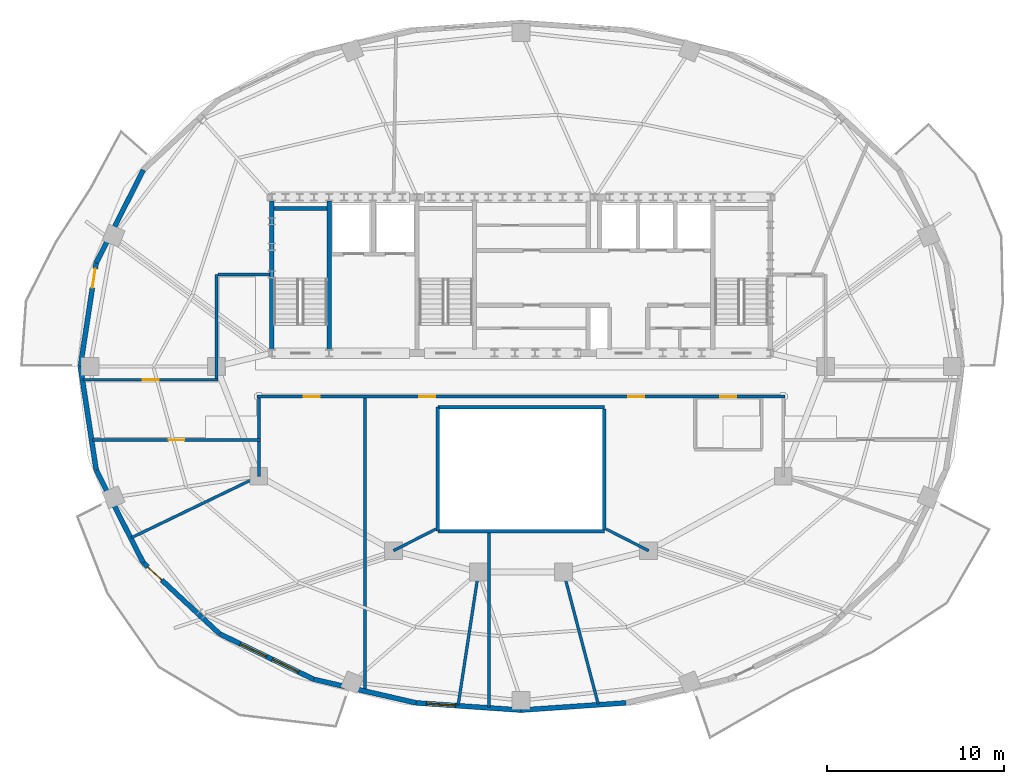
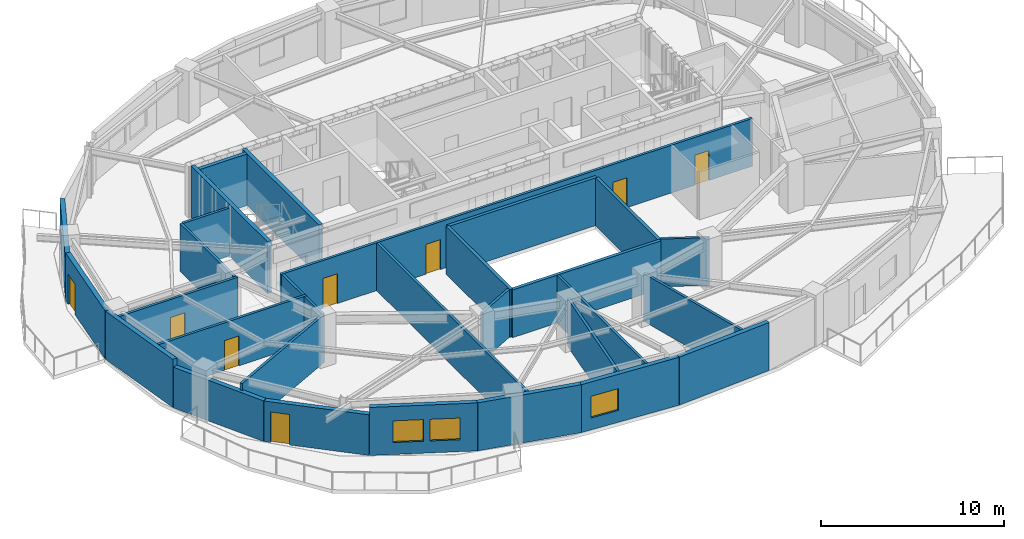
# One storey, part 3 of 10: 30 walls, 8 doors, 3 windows, 11 openings.
"""IFC4 building model written with IfcOpenShell, lengths in metres."""

from ifc_helpers import new_model, si_unit, direction, frame, frame_2d, origin, place, context, subcontext, project, spatial, rectangle, extrude, material, layer, layer_set, type_object, element, fill, save


model = new_model("IFC4")

# Units and contexts
model_context = context("Model", 3, precision=1e-05, world=origin(), true_north=direction((0.0, 1.0)))
body_context = subcontext(model_context, "Body", "Model", "MODEL_VIEW")
ifc_project = project(units=[si_unit("LENGTHUNIT", "METRE"), si_unit("AREAUNIT", "SQUARE_METRE"), si_unit("VOLUMEUNIT", "CUBIC_METRE"), si_unit("PLANEANGLEUNIT", "RADIAN"), si_unit("MASSUNIT", "GRAM", prefix="KILO")], contexts=[model_context])

# Site, building, storey
site_placement = place(None, origin())
site = spatial("IfcSite", under=ifc_project, at=site_placement, CompositionType="ELEMENT")
building_placement = place(site_placement, origin())
building = spatial("IfcBuilding", under=site, at=building_placement, Name="Haldorwick Loom Tower", CompositionType="ELEMENT")
storey_placement = place(building_placement, frame((0.0, 0.0, 255.75)))
storey = spatial("IfcBuildingStorey", under=building, at=storey_placement, Name="L69", CompositionType="ELEMENT", Elevation=255.75)

# Wall
ifc_material_1 = material(Name="Pressed Clay Face Brick and Insulated Masonry Backup Assembly", Category="masonry")
ifc_layer_1 = layer(ifc_material_1, 0.280029296875, Name="Pressed Clay Face Brick and Insulated Masonry Backup Assembly", Category="masonry")
ifc_layer_set_1 = layer_set([ifc_layer_1], Name="Pressed Clay Face Brick and Insulated Masonry Backup Assembly")
wall_type_1 = type_object("IfcWallType", Name="ARC-WL-EXT280", PredefinedType="STANDARD", material=ifc_layer_set_1)
wall_1_placement = place(storey_placement, frame((14.677490234375, 37.08984375, 0.0), z_axis=(0.0, 0.0, 1.0), x_axis=(-0.453100705059, -0.89145933787, 0.0)))
element("IfcWall", 1, at=wall_1_placement, inside=storey, type_object=wall_type_1, Name="L69 Brick Pier and Spandrel Wall 11", PredefinedType="STANDARD", context=body_context, shape_type="SweptSolid", body=[
    extrude(rectangle(XDim=5.879150390625, YDim=0.280029296875, at=frame_2d((2.939453125, 0.0))), origin(), (0.0, 0.0, 1.0), 2.718994140625),
])

# Wall, opening, door
wall_2_placement = place(storey_placement, frame((12.013671875, 31.848876953125, 0.0), z_axis=(0.0, 0.0, 1.0), x_axis=(-0.150497234153, -0.988610430105, 0.0)))
wall_2 = element("IfcWall", 2, at=wall_2_placement, inside=storey, type_object=wall_type_1, Name="L69 Brick Pier and Spandrel Wall 12", PredefinedType="STANDARD", context=body_context, shape_type="SweptSolid", body=[
    extrude(rectangle(XDim=5.916259765625, YDim=0.280029296875, at=frame_2d((2.9580078125, 0.0))), origin(), (0.0, 0.0, 1.0), 3.2099609375),
])
opening_1_placement = place(wall_2_placement, frame((0.340087890625, 0.0, 0.0)))
opening_1 = element("IfcOpeningElement", 3, at=opening_1_placement, cuts=wall_2, Name="Opening D-BL11", PredefinedType="OPENING", context=body_context, shape_type="SweptSolid", body=[
    extrude(rectangle(XDim=1.080078125, YDim=2.0400390625, at=frame_2d((0.5400390625, 1.02001953125))), frame((0.0, 0.14990234375, 0.0), z_axis=(0.0, -1.0, 0.0), x_axis=(1.0, 0.0, 0.0)), (0.0, 0.0, 1.0), 0.300048828125),
])
ifc_material_2 = material(Name="Thermally Broken Anodized Aluminium Curtain Wall Framing", Category="aluminium")
door_type_1 = type_object("IfcDoorType", Name="ARC-DR-BAL110", OperationType="NOTDEFINED", PredefinedType="DOOR", material=ifc_material_2)
door_1_placement = place(opening_1_placement, origin())
door_1 = element("IfcDoor", 4, at=door_1_placement, inside=storey, type_object=door_type_1, Name="L69 Outdoor Terrace Door SLB-L69-BAL_WNW", OperationType="SINGLE_SWING_RIGHT", OverallHeight=2.0400390625, OverallWidth=1.080078125, PredefinedType="DOOR", context=body_context, shape_type="SweptSolid", body=[
    extrude(rectangle(XDim=1.080078125, YDim=2.0400390625, at=frame_2d((0.5400390625, 1.02001953125))), frame((0.0, 0.02490234375, 0.0), z_axis=(0.0, -1.0, 0.0), x_axis=(1.0, 0.0, 0.0)), (0.0, 0.0, 1.0), 0.050048828125),
])
fill(opening_1, door_1)

# Walls
wall_3_placement = place(storey_placement, frame((11.123291015625, 26.0, 0.0), z_axis=(0.0, 0.0, 1.0), x_axis=(0.150497234153, -0.988610430105, 0.0)))
element("IfcWall", 5, at=wall_3_placement, inside=storey, type_object=wall_type_1, Name="L69 Brick Pier and Spandrel Wall 13", PredefinedType="STANDARD", context=body_context, shape_type="SweptSolid", body=[
    extrude(rectangle(XDim=5.916259765625, YDim=0.280029296875, at=frame_2d((2.9580078125, 0.0))), origin(), (0.0, 0.0, 1.0), 3.2099609375),
])
wall_4_placement = place(storey_placement, frame((12.013671875, 20.151123046875, 0.0), z_axis=(0.0, 0.0, 1.0), x_axis=(0.453100705059, -0.89145933787, 0.0)))
element("IfcWall", 6, at=wall_4_placement, inside=storey, type_object=wall_type_1, Name="L69 Brick Pier and Spandrel Wall 14", PredefinedType="STANDARD", context=body_context, shape_type="SweptSolid", body=[
    extrude(rectangle(XDim=5.879150390625, YDim=0.280029296875, at=frame_2d((2.939453125, 0.0))), origin(), (0.0, 0.0, 1.0), 2.718994140625),
])

# Wall, opening, door
wall_5_placement = place(storey_placement, frame((14.677490234375, 14.91015625, 0.0), z_axis=(0.0, 0.0, 1.0), x_axis=(0.731924682982, -0.68138554317, 0.0)))
wall_5 = element("IfcWall", 7, at=wall_5_placement, inside=storey, type_object=wall_type_1, Name="L69 Brick Pier and Spandrel Wall 15", PredefinedType="STANDARD", context=body_context, shape_type="SweptSolid", body=[
    extrude(rectangle(XDim=5.87890625, YDim=0.280029296875, at=frame_2d((2.939453125, 0.0))), origin(), (0.0, 0.0, 1.0), 2.718994140625),
])
opening_2_placement = place(wall_5_placement, frame((0.340087890625, 0.0, 0.0)))
opening_2 = element("IfcOpeningElement", 8, at=opening_2_placement, cuts=wall_5, Name="Opening D-BL11", PredefinedType="OPENING", context=body_context, shape_type="SweptSolid", body=[
    extrude(rectangle(XDim=1.080078125, YDim=2.0400390625, at=frame_2d((0.5400390625, 1.02001953125))), frame((0.0, 0.14990234375, 0.0), z_axis=(0.0, -1.0, 0.0), x_axis=(1.0, 0.0, 0.0)), (0.0, 0.0, 1.0), 0.300048828125),
])
door_2_placement = place(opening_2_placement, origin())
door_2 = element("IfcDoor", 9, at=door_2_placement, inside=storey, type_object=door_type_1, Name="L69 Outdoor Terrace Door SLB-L69-BAL_SW", OperationType="SINGLE_SWING_LEFT", OverallHeight=2.0400390625, OverallWidth=1.080078125, PredefinedType="DOOR", context=body_context, shape_type="SweptSolid", body=[
    extrude(rectangle(XDim=1.080078125, YDim=2.0400390625, at=frame_2d((0.5400390625, 1.02001953125))), frame((0.0, 0.02490234375, 0.0), z_axis=(0.0, -1.0, 0.0), x_axis=(1.0, 0.0, 0.0)), (0.0, 0.0, 1.0), 0.050048828125),
])
fill(opening_2, door_2)

# Wall, openings, windows
wall_6_placement = place(storey_placement, frame((18.98046875, 10.904296875, 0.0), z_axis=(0.0, 0.0, 1.0), x_axis=(0.900481907967, -0.434893473651, 0.0)))
wall_6 = element("IfcWall", 10, at=wall_6_placement, inside=storey, type_object=wall_type_1, Name="L69 Brick Pier and Spandrel Wall 16", PredefinedType="STANDARD", context=body_context, shape_type="SweptSolid", body=[
    extrude(rectangle(XDim=5.90966796875, YDim=0.280029296875, at=frame_2d((2.954833984375, 0.0))), origin(), (0.0, 0.0, 1.0), 3.2099609375),
])
opening_3_placement = place(wall_6_placement, frame((1.29443359375, 0.0, 0.800048828125)))
opening_3 = element("IfcOpeningElement", 11, at=opening_3_placement, cuts=wall_6, Name="Opening W-01B", PredefinedType="OPENING", context=body_context, shape_type="SweptSolid", body=[
    extrude(rectangle(XDim=1.64990234375, YDim=1.449951171875, at=frame_2d((0.824951171875, 0.72509765625))), frame((0.0, 0.14990234375, 0.0), z_axis=(0.0, -1.0, 0.0), x_axis=(1.0, 0.0, 0.0)), (0.0, 0.0, 1.0), 0.300048828125),
])
opening_4_placement = place(wall_6_placement, frame((3.311767578125, 0.0, 0.800048828125)))
opening_4 = element("IfcOpeningElement", 12, at=opening_4_placement, cuts=wall_6, Name="Opening W-01B", PredefinedType="OPENING", context=body_context, shape_type="SweptSolid", body=[
    extrude(rectangle(XDim=1.64990234375, YDim=1.449951171875, at=frame_2d((0.824951171875, 0.72509765625))), frame((0.0, 0.14990234375, 0.0), z_axis=(0.0, -1.0, 0.0), x_axis=(1.0, 0.0, 0.0)), (0.0, 0.0, 1.0), 0.300048828125),
])
ifc_material_3 = material(Name="Triple-Glazed Low-E Argon Insulated Glazing Unit", Category="glass")
window_type = type_object("IfcWindowType", Name="ARC-WIN-W165", PartitioningType="SINGLE_PANEL", PredefinedType="WINDOW", material=ifc_material_3)
window_1_placement = place(opening_3_placement, origin())
window_1 = element("IfcWindow", 13, at=window_1_placement, inside=storey, type_object=window_type, Name="L69 Deep-Set Zone 7A Window 16", OverallHeight=1.449951171875, OverallWidth=1.64990234375, PartitioningType="SINGLE_PANEL", PredefinedType="WINDOW", context=body_context, shape_type="SweptSolid", body=[
    extrude(rectangle(XDim=1.64990234375, YDim=1.449951171875, at=frame_2d((0.824951171875, 0.72509765625))), frame((0.0, 0.030029296875, 0.0), z_axis=(0.0, -1.0, 0.0), x_axis=(1.0, 0.0, 0.0)), (0.0, 0.0, 1.0), 0.06005859375),
])
fill(opening_3, window_1)
window_2_placement = place(opening_4_placement, origin())
window_2 = element("IfcWindow", 14, at=window_2_placement, inside=storey, type_object=window_type, Name="L69 Deep-Set Zone 7A Window 16", OverallHeight=1.449951171875, OverallWidth=1.64990234375, PartitioningType="SINGLE_PANEL", PredefinedType="WINDOW", context=body_context, shape_type="SweptSolid", body=[
    extrude(rectangle(XDim=1.64990234375, YDim=1.449951171875, at=frame_2d((0.824951171875, 0.72509765625))), frame((0.0, 0.030029296875, 0.0), z_axis=(0.0, -1.0, 0.0), x_axis=(1.0, 0.0, 0.0)), (0.0, 0.0, 1.0), 0.06005859375),
])
fill(opening_4, window_2)

# Wall
wall_7_placement = place(storey_placement, frame((24.302001953125, 8.334228515625, 0.0), z_axis=(0.0, 0.0, 1.0), x_axis=(0.974589984037, -0.223996345987, 0.0)))
element("IfcWall", 15, at=wall_7_placement, inside=storey, type_object=wall_type_1, Name="L69 Brick Pier and Spandrel Wall 17", PredefinedType="STANDARD", context=body_context, shape_type="SweptSolid", body=[
    extrude(rectangle(XDim=5.92919921875, YDim=0.280029296875, at=frame_2d((2.964599609375, 0.0))), origin(), (0.0, 0.0, 1.0), 3.2099609375),
])

# Wall, opening, window
wall_8_placement = place(storey_placement, frame((30.08056640625, 7.006103515625, 0.0), z_axis=(0.0, 0.0, 1.0), x_axis=(0.997656066566, -0.068427865986, 0.0)))
wall_8 = element("IfcWall", 16, at=wall_8_placement, inside=storey, type_object=wall_type_1, Name="L69 Brick Pier and Spandrel Wall 18", PredefinedType="STANDARD", context=body_context, shape_type="SweptSolid", body=[
    extrude(rectangle(XDim=5.933349609375, YDim=0.280029296875, at=frame_2d((2.966796875, 0.0))), origin(), (0.0, 0.0, 1.0), 3.2099609375),
])
opening_5_placement = place(wall_8_placement, frame((0.580078125, 0.0, 0.800048828125)))
opening_5 = element("IfcOpeningElement", 17, at=opening_5_placement, cuts=wall_8, Name="Opening W-01B", PredefinedType="OPENING", context=body_context, shape_type="SweptSolid", body=[
    extrude(rectangle(XDim=1.64990234375, YDim=1.449951171875, at=frame_2d((0.824951171875, 0.72509765625))), frame((0.0, 0.14990234375, 0.0), z_axis=(0.0, -1.0, 0.0), x_axis=(1.0, 0.0, 0.0)), (0.0, 0.0, 1.0), 0.300048828125),
])
window_3_placement = place(opening_5_placement, origin())
window_3 = element("IfcWindow", 18, at=window_3_placement, inside=storey, type_object=window_type, Name="L69 Deep-Set Zone 7A Window 18", OverallHeight=1.449951171875, OverallWidth=1.64990234375, PartitioningType="SINGLE_PANEL", PredefinedType="WINDOW", context=body_context, shape_type="SweptSolid", body=[
    extrude(rectangle(XDim=1.64990234375, YDim=1.449951171875, at=frame_2d((0.824951171875, 0.72509765625))), frame((0.0, 0.030029296875, 0.0), z_axis=(0.0, -1.0, 0.0), x_axis=(1.0, 0.0, 0.0)), (0.0, 0.0, 1.0), 0.06005859375),
])
fill(opening_5, window_3)

# Wall
wall_9_placement = place(storey_placement, frame((36.0, 6.60009765625, 0.0), z_axis=(0.0, 0.0, 1.0), x_axis=(0.997656066566, 0.068427865986, 0.0)))
element("IfcWall", 19, at=wall_9_placement, inside=storey, type_object=wall_type_1, Name="L69 Brick Pier and Spandrel Wall 19", PredefinedType="STANDARD", context=body_context, shape_type="SweptSolid", body=[
    extrude(rectangle(XDim=5.933349609375, YDim=0.280029296875, at=frame_2d((2.966796875, 0.0))), origin(), (0.0, 0.0, 1.0), 3.2099609375),
])

# Wall, openings, doors
ifc_material_4 = material(Name="Fire-Rated Type X Gypsum Stud Assembly EI 60")
ifc_layer_2 = layer(ifc_material_4, 0.159912109375, Name="Fire-Rated Type X Gypsum Stud Assembly EI 60")
ifc_layer_set_2 = layer_set([ifc_layer_2], Name="Fire-Rated Type X Gypsum Stud Assembly EI 60")
wall_type_2 = type_object("IfcWallType", Name="ARC-WL-FIRE160", PredefinedType="PARTITIONING", material=ifc_layer_set_2)
wall_10_placement = place(storey_placement, frame((21.10009765625, 24.300048828125, 0.0), z_axis=(0.0, 0.0, 1.0), x_axis=(1.0, 0.0, 0.0)))
wall_10 = element("IfcWall", 20, at=wall_10_placement, inside=storey, type_object=wall_type_2, Name="L69 Residential Fire Partition L69-CR-SP", PredefinedType="PARTITIONING", context=body_context, shape_type="SweptSolid", body=[
    extrude(rectangle(XDim=29.7998046875, YDim=0.159912109375, at=frame_2d((14.89990234375, 0.0))), origin(), (0.0, 0.0, 1.0), 3.195068359375),
])
opening_6_placement = place(wall_10_placement, frame((20.9619140625, 0.0, 0.0)))
opening_6 = element("IfcOpeningElement", 21, at=opening_6_placement, cuts=wall_10, Name="Opening D-FD60A", PredefinedType="OPENING", context=body_context, shape_type="SweptSolid", body=[
    extrude(rectangle(XDim=0.89990234375, YDim=2.0, at=frame_2d((0.449951171875, 1.0))), frame((0.0, 0.08984375, 0.0), z_axis=(0.0, -1.0, 0.0), x_axis=(1.0, 0.0, 0.0)), (0.0, 0.0, 1.0), 0.179931640625),
])
opening_7_placement = place(wall_10_placement, frame((9.152099609375, 0.0, 0.0)))
opening_7 = element("IfcOpeningElement", 22, at=opening_7_placement, cuts=wall_10, Name="Opening D-FD60A", PredefinedType="OPENING", context=body_context, shape_type="SweptSolid", body=[
    extrude(rectangle(XDim=0.89990234375, YDim=2.0, at=frame_2d((0.449951171875, 1.0))), frame((0.0, 0.08984375, 0.0), z_axis=(0.0, -1.0, 0.0), x_axis=(1.0, 0.0, 0.0)), (0.0, 0.0, 1.0), 0.179931640625),
])
opening_8_placement = place(wall_10_placement, frame((2.640380859375, 0.0, 0.0)))
opening_8 = element("IfcOpeningElement", 23, at=opening_8_placement, cuts=wall_10, Name="Opening D-FD60A", PredefinedType="OPENING", context=body_context, shape_type="SweptSolid", body=[
    extrude(rectangle(XDim=0.89990234375, YDim=2.0, at=frame_2d((0.449951171875, 1.0))), frame((0.0, 0.08984375, 0.0), z_axis=(0.0, -1.0, 0.0), x_axis=(1.0, 0.0, 0.0)), (0.0, 0.0, 1.0), 0.179931640625),
])
opening_9_placement = place(wall_10_placement, frame((26.1494140625, 0.0, 0.0)))
opening_9 = element("IfcOpeningElement", 24, at=opening_9_placement, cuts=wall_10, Name="Opening D-FD60A", PredefinedType="OPENING", context=body_context, shape_type="SweptSolid", body=[
    extrude(rectangle(XDim=0.89990234375, YDim=2.0, at=frame_2d((0.449951171875, 1.0))), frame((0.0, 0.08984375, 0.0), z_axis=(0.0, -1.0, 0.0), x_axis=(1.0, 0.0, 0.0)), (0.0, 0.0, 1.0), 0.179931640625),
])
ifc_material_5 = material(Name="Hollow Steel Fire Door Assembly", Category="steel")
door_type_2 = type_object("IfcDoorType", Name="ARC-DR-FD60-90", OperationType="NOTDEFINED", PredefinedType="DOOR", material=ifc_material_5)
door_3_placement = place(opening_6_placement, origin())
door_3 = element("IfcDoor", 25, at=door_3_placement, inside=storey, type_object=door_type_2, Name="L69 L69 Central Residential Corridor to Tenant Seminar Meeting Room 1 Do", OperationType="SINGLE_SWING_LEFT", OverallHeight=2.0, OverallWidth=0.89990234375, PredefinedType="DOOR", context=body_context, shape_type="SweptSolid", body=[
    extrude(rectangle(XDim=0.89990234375, YDim=2.0, at=frame_2d((0.449951171875, 1.0))), frame((0.0, 0.02490234375, 0.0), z_axis=(0.0, -1.0, 0.0), x_axis=(1.0, 0.0, 0.0)), (0.0, 0.0, 1.0), 0.050048828125),
])
fill(opening_6, door_3)
door_4_placement = place(opening_7_placement, origin())
door_4 = element("IfcDoor", 26, at=door_4_placement, inside=storey, type_object=door_type_2, Name="L69 L69 Central Residential Corridor to Tenant Seminar Meeting Room 1 Do", OperationType="SINGLE_SWING_RIGHT", OverallHeight=2.0, OverallWidth=0.89990234375, PredefinedType="DOOR", context=body_context, shape_type="SweptSolid", body=[
    extrude(rectangle(XDim=0.89990234375, YDim=2.0, at=frame_2d((0.449951171875, 1.0))), frame((0.0, 0.02490234375, 0.0), z_axis=(0.0, -1.0, 0.0), x_axis=(1.0, 0.0, 0.0)), (0.0, 0.0, 1.0), 0.050048828125),
])
fill(opening_7, door_4)
door_5_placement = place(opening_8_placement, origin())
door_5 = element("IfcDoor", 27, at=door_5_placement, inside=storey, type_object=door_type_2, Name="L69 L69 Central Residential Corridor to Tenant Seminar Meeting Room 2 Do", OperationType="SINGLE_SWING_LEFT", OverallHeight=2.0, OverallWidth=0.89990234375, PredefinedType="DOOR", context=body_context, shape_type="SweptSolid", body=[
    extrude(rectangle(XDim=0.89990234375, YDim=2.0, at=frame_2d((0.449951171875, 1.0))), frame((0.0, 0.02490234375, 0.0), z_axis=(0.0, -1.0, 0.0), x_axis=(1.0, 0.0, 0.0)), (0.0, 0.0, 1.0), 0.050048828125),
])
fill(opening_8, door_5)
door_6_placement = place(opening_9_placement, origin())
door_6 = element("IfcDoor", 28, at=door_6_placement, inside=storey, type_object=door_type_2, Name="L69 L69 Central Residential Corridor to Common Accessible WC Door", OperationType="SINGLE_SWING_RIGHT", OverallHeight=2.0, OverallWidth=0.89990234375, PredefinedType="DOOR", context=body_context, shape_type="SweptSolid", body=[
    extrude(rectangle(XDim=0.89990234375, YDim=2.0, at=frame_2d((0.449951171875, 1.0))), frame((0.0, 0.02490234375, 0.0), z_axis=(0.0, -1.0, 0.0), x_axis=(1.0, 0.0, 0.0)), (0.0, 0.0, 1.0), 0.050048828125),
])
fill(opening_9, door_6)

# Wall, opening, door
wall_11_placement = place(storey_placement, frame((11.800537109375, 21.85009765625, 0.0), z_axis=(0.0, 0.0, 1.0), x_axis=(1.0, 0.0, 0.0)))
wall_11 = element("IfcWall", 29, at=wall_11_placement, inside=storey, type_object=wall_type_2, Name="L69 Residential Fire Partition L69-CR-SPW", PredefinedType="PARTITIONING", context=body_context, shape_type="SweptSolid", body=[
    extrude(rectangle(XDim=9.49951171875, YDim=0.159912109375, at=frame_2d((4.749755859375, 0.0))), origin(), (0.0, 0.0, 1.0), 3.195068359375),
])
opening_10_placement = place(wall_11_placement, frame((4.2998046875, 0.0, 0.0)))
opening_10 = element("IfcOpeningElement", 30, at=opening_10_placement, cuts=wall_11, Name="Opening D-FD60A", PredefinedType="OPENING", context=body_context, shape_type="SweptSolid", body=[
    extrude(rectangle(XDim=0.89990234375, YDim=2.0, at=frame_2d((0.449951171875, 1.0))), frame((0.0, 0.08984375, 0.0), z_axis=(0.0, -1.0, 0.0), x_axis=(1.0, 0.0, 0.0)), (0.0, 0.0, 1.0), 0.179931640625),
])
door_7_placement = place(opening_10_placement, origin())
door_7 = element("IfcDoor", 31, at=door_7_placement, inside=storey, type_object=door_type_2, Name="L69 L69 Central Residential Corridor to Community Library Room 1 Door", OperationType="SINGLE_SWING_RIGHT", OverallHeight=2.0, OverallWidth=0.89990234375, PredefinedType="DOOR", context=body_context, shape_type="SweptSolid", body=[
    extrude(rectangle(XDim=0.89990234375, YDim=2.0, at=frame_2d((0.449951171875, 1.0))), frame((0.0, 0.02490234375, 0.0), z_axis=(0.0, -1.0, 0.0), x_axis=(1.0, 0.0, 0.0)), (0.0, 0.0, 1.0), 0.050048828125),
])
fill(opening_10, door_7)

# Wall
wall_12_placement = place(storey_placement, frame((21.199951171875, 21.93310546875, 0.0), z_axis=(0.0, 0.0, 1.0), x_axis=(0.0, 1.0, 0.0)))
element("IfcWall", 32, at=wall_12_placement, inside=storey, type_object=wall_type_2, Name="L69 Residential Fire Partition L69-CR-STW", PredefinedType="PARTITIONING", context=body_context, shape_type="SweptSolid", body=[
    extrude(rectangle(XDim=2.283935546875, YDim=0.159912109375, at=frame_2d((1.14208984375, 0.0))), origin(), (0.0, 0.0, 1.0), 3.195068359375),
])

# Wall, opening, door
wall_13_placement = place(storey_placement, frame((11.282958984375, 25.25, 0.0), z_axis=(0.0, 0.0, 1.0), x_axis=(1.0, 0.0, 0.0)))
wall_13 = element("IfcWall", 33, at=wall_13_placement, inside=storey, type_object=wall_type_2, Name="L69 Residential Fire Partition L69-CR-NWL", PredefinedType="PARTITIONING", context=body_context, shape_type="SweptSolid", body=[
    extrude(rectangle(XDim=7.616943359375, YDim=0.159912109375, at=frame_2d((3.80859375, 0.0))), origin(), (0.0, 0.0, 1.0), 3.195068359375),
])
opening_11_placement = place(wall_13_placement, frame((3.3583984375, 0.0, 0.0)))
opening_11 = element("IfcOpeningElement", 34, at=opening_11_placement, cuts=wall_13, Name="Opening D-FD60A", PredefinedType="OPENING", context=body_context, shape_type="SweptSolid", body=[
    extrude(rectangle(XDim=0.89990234375, YDim=2.0, at=frame_2d((0.449951171875, 1.0))), frame((0.0, 0.08984375, 0.0), z_axis=(0.0, -1.0, 0.0), x_axis=(1.0, 0.0, 0.0)), (0.0, 0.0, 1.0), 0.179931640625),
])
door_8_placement = place(opening_11_placement, frame((0.89990234375, 0.0, 0.0), z_axis=(0.0, 0.0, 1.0), x_axis=(-1.0, 0.0, 0.0)))
door_8 = element("IfcDoor", 35, at=door_8_placement, inside=storey, type_object=door_type_2, Name="L69 Tenant Seminar Meeting Room 6 to L69 Central Residential Corridor Do", OperationType="SINGLE_SWING_LEFT", OverallHeight=2.0, OverallWidth=0.89990234375, PredefinedType="DOOR", context=body_context, shape_type="SweptSolid", body=[
    extrude(rectangle(XDim=0.89990234375, YDim=2.0, at=frame_2d((0.449951171875, 1.0))), frame((0.0, 0.02490234375, 0.0), z_axis=(0.0, -1.0, 0.0), x_axis=(1.0, 0.0, 0.0)), (0.0, 0.0, 1.0), 0.050048828125),
])
fill(opening_11, door_8)

# Walls
wall_14_placement = place(storey_placement, frame((18.800048828125, 25.3330078125, 0.0), z_axis=(0.0, 0.0, 1.0), x_axis=(0.0, 1.0, 0.0)))
element("IfcWall", 36, at=wall_14_placement, inside=storey, type_object=wall_type_2, Name="L69 Residential Fire Partition L69-CR-W0", PredefinedType="PARTITIONING", context=body_context, shape_type="SweptSolid", body=[
    extrude(rectangle(XDim=5.866943359375, YDim=0.159912109375, at=frame_2d((2.93359375, 0.0))), origin(), (0.0, 0.0, 1.0), 3.195068359375),
])
wall_15_placement = place(storey_placement, frame((18.883056640625, 31.199951171875, 0.0), z_axis=(0.0, 0.0, 1.0), x_axis=(1.0, 0.0, 0.0)))
element("IfcWall", 37, at=wall_15_placement, inside=storey, type_object=wall_type_2, Name="L69 Residential Fire Partition L69-CR-WNJ", PredefinedType="PARTITIONING", context=body_context, shape_type="SweptSolid", body=[
    extrude(rectangle(XDim=2.923828125, YDim=0.159912109375, at=frame_2d((1.4619140625, 0.0))), origin(), (0.0, 0.0, 1.0), 3.195068359375),
])
wall_16_placement = place(storey_placement, frame((38.39990234375, 14.39990234375, 0.0), z_axis=(0.0, 0.0, 1.0), x_axis=(0.253579572039, -0.96731453036, 0.0)))
element("IfcWall", 38, at=wall_16_placement, inside=storey, type_object=wall_type_2, Name="L69 Residential Fire Partition L69-ICR-05", PredefinedType="PARTITIONING", context=body_context, shape_type="SweptSolid", body=[
    extrude(rectangle(XDim=7.7080078125, YDim=0.159912109375, at=frame_2d((3.85400390625, 0.0))), origin(), (0.0, 0.0, 1.0), 3.195068359375),
])
wall_17_placement = place(storey_placement, frame((33.60009765625, 14.39990234375, 0.0), z_axis=(0.0, 0.0, 1.0), x_axis=(-0.151108252294, -0.988517220937, 0.0)))
element("IfcWall", 39, at=wall_17_placement, inside=storey, type_object=wall_type_2, Name="L69 Residential Fire Partition L69-ICR-07", PredefinedType="PARTITIONING", context=body_context, shape_type="SweptSolid", body=[
    extrude(rectangle(XDim=7.598388671875, YDim=0.159912109375, at=frame_2d((3.79931640625, 0.0))), origin(), (0.0, 0.0, 1.0), 3.195068359375),
])
wall_18_placement = place(storey_placement, frame((21.199951171875, 19.800048828125, 0.0), z_axis=(0.0, 0.0, 1.0), x_axis=(-0.900843191741, -0.43414461173, 0.0)))
element("IfcWall", 40, at=wall_18_placement, inside=storey, type_object=wall_type_2, Name="L69 Residential Fire Partition L69-ICR-10", PredefinedType="PARTITIONING", context=body_context, shape_type="SweptSolid", body=[
    extrude(rectangle(XDim=7.987060546875, YDim=0.159912109375, at=frame_2d((3.99365234375, 0.0))), origin(), (0.0, 0.0, 1.0), 3.195068359375),
])
wall_19_placement = place(storey_placement, frame((27.199951171875, 7.71435546875, 0.0), z_axis=(0.0, 0.0, 1.0), x_axis=(0.0, 1.0, 0.0)))
element("IfcWall", 41, at=wall_19_placement, inside=storey, type_object=wall_type_2, Name="L69 Residential Fire Partition L69-SBP-0", PredefinedType="PARTITIONING", context=body_context, shape_type="SweptSolid", body=[
    extrude(rectangle(XDim=16.502685546875, YDim=0.159912109375, at=frame_2d((8.25146484375, 0.0))), origin(), (0.0, 0.0, 1.0), 3.195068359375),
])
wall_20_placement = place(storey_placement, frame((34.199951171875, 6.7685546875, 0.0), z_axis=(0.0, 0.0, 1.0), x_axis=(0.0, 1.0, 0.0)))
element("IfcWall", 42, at=wall_20_placement, inside=storey, type_object=wall_type_2, Name="L69 Residential Fire Partition L69-SBP-1", PredefinedType="PARTITIONING", context=body_context, shape_type="SweptSolid", body=[
    extrude(rectangle(XDim=9.828369140625, YDim=0.159912109375, at=frame_2d((4.9140625, 0.0))), origin(), (0.0, 0.0, 1.0), 3.195068359375),
])
for number, where, z_axis, x_axis, name in (
    (43, (40.802978515625, 16.822021484375, 0.0), (0.0, 0.0, 1.0), (0.890915506237, -0.454169088278, 0.0), "L69 Residential Fire Partition L69-ICA-03"),
    (44, (31.197021484375, 16.822021484375, 0.0), (0.0, 0.0, 1.0), (-0.890915506237, -0.454169088278, 0.0), "L69 Residential Fire Partition L69-ICA-08"),
):
    element("IfcWall", number, at=place(storey_placement, frame(where, z_axis=z_axis, x_axis=x_axis)), inside=storey, type_object=wall_type_2, Name=name, PredefinedType="PARTITIONING", context=body_context, shape_type="SweptSolid", body=[
        extrude(rectangle(XDim=2.6904296875, YDim=0.159912109375, at=frame_2d((1.34521484375, 0.0))), origin(), (0.0, 0.0, 1.0), 3.195068359375),
    ])
wall_21_placement = place(storey_placement, frame((21.199951171875, 21.76708984375, 0.0), z_axis=(0.0, 0.0, 1.0), x_axis=(0.0, -1.0, 0.0)))
element("IfcWall", 45, at=wall_21_placement, inside=storey, type_object=wall_type_2, Name="L69 Residential Fire Partition L69-ICA-09", PredefinedType="PARTITIONING", context=body_context, shape_type="SweptSolid", body=[
    extrude(rectangle(XDim=1.967041015625, YDim=0.159912109375, at=frame_2d((0.9833984375, 0.0))), origin(), (0.0, 0.0, 1.0), 3.195068359375),
])
ifc_material_6 = material(Name="Fire-Rated Type X Gypsum Stud Assembly EI 120")
ifc_layer_3 = layer(ifc_material_6, 0.199951171875, Name="Fire-Rated Type X Gypsum Stud Assembly EI 120")
ifc_layer_set_3 = layer_set([ifc_layer_3], Name="Fire-Rated Type X Gypsum Stud Assembly EI 120")
wall_type_3 = type_object("IfcWallType", Name="ARC-WL-FIRE200", PredefinedType="PARTITIONING", material=ifc_layer_set_3)
for number, where, z_axis, x_axis, name in (
    (46, (31.300048828125, 23.699951171875, 0.0), (0.0, 0.0, 1.0), (1.0, 0.0, 0.0), "L69 Atrium Fire Enclosure Wall N"),
    (47, (40.699951171875, 16.699951171875, 0.0), (0.0, 0.0, 1.0), (-1.0, 0.0, 0.0), "L69 Atrium Fire Enclosure Wall S"),
):
    element("IfcWall", number, at=place(storey_placement, frame(where, z_axis=z_axis, x_axis=x_axis)), inside=storey, type_object=wall_type_3, Name=name, PredefinedType="PARTITIONING", context=body_context, shape_type="SweptSolid", body=[
        extrude(rectangle(XDim=9.39990234375, YDim=0.199951171875, at=frame_2d((4.699951171875, 0.0))), origin(), (0.0, 0.0, 1.0), 3.195068359375),
    ])
wall_22_placement = place(storey_placement, frame((31.300048828125, 16.699951171875, 0.0), z_axis=(0.0, 0.0, 1.0), x_axis=(0.0, 1.0, 0.0)))
element("IfcWall", 48, at=wall_22_placement, inside=storey, type_object=wall_type_3, Name="L69 Atrium Fire Enclosure Wall W", PredefinedType="PARTITIONING", context=body_context, shape_type="SweptSolid", body=[
    extrude(rectangle(XDim=7.0, YDim=0.199951171875, at=frame_2d((3.5, 0.0))), origin(), (0.0, 0.0, 1.0), 3.195068359375),
])
wall_23_placement = place(storey_placement, frame((40.699951171875, 23.596923828125, 0.0), z_axis=(0.0, 0.0, 1.0), x_axis=(0.0, -1.0, 0.0)))
element("IfcWall", 49, at=wall_23_placement, inside=storey, type_object=wall_type_3, Name="L69 Atrium Fire Enclosure Wall E", PredefinedType="PARTITIONING", context=body_context, shape_type="SweptSolid", body=[
    extrude(rectangle(XDim=6.7939453125, YDim=0.199951171875, at=frame_2d((3.39697265625, 0.0))), origin(), (0.0, 0.0, 1.0), 3.195068359375),
])
ifc_material_7 = material(Name="Concrete C50 (50 MPa)", Category="concrete")
ifc_layer_4 = layer(ifc_material_7, 0.239990234375, Name="Concrete C50 (50 MPa)", Category="concrete")
ifc_layer_set_4 = layer_set([ifc_layer_4], Name="Concrete C50 (50 MPa)")
wall_type_4 = type_object("IfcWallType", Name="STR-WL-SHAFT240", PredefinedType="SHEAR", material=ifc_layer_set_4)
for number, where, z_axis, x_axis, name in (
    (50, (21.929931640625, 35.346923828125, 0.0), (0.0, 0.0, 1.0), (0.0, -1.0, 0.0), "L69 Core Shear Wall W"),
    (51, (25.169921875, 26.952880859375, 0.0), (0.0, 0.0, 1.0), (0.0, 1.0, 0.0), "L69 Core Shear Wall 1"),
):
    element("IfcWall", number, at=place(storey_placement, frame(where, z_axis=z_axis, x_axis=x_axis)), inside=storey, type_object=wall_type_4, Name=name, PredefinedType="SHEAR", context=body_context, shape_type="SweptSolid", body=[
        extrude(rectangle(XDim=8.39404296875, YDim=0.239990234375, at=frame_2d((4.197021484375, 0.0))), origin(), (0.0, 0.0, 1.0), 3.449951171875),
    ])
wall_24_placement = place(storey_placement, frame((22.052978515625, 34.919921875, 0.0), z_axis=(0.0, 0.0, 1.0), x_axis=(1.0, 0.0, 0.0)))
element("IfcWall", 52, at=wall_24_placement, inside=storey, type_object=wall_type_4, Name="L69 Core Shear Wall 1N", PredefinedType="SHEAR", context=body_context, shape_type="SweptSolid", body=[
    extrude(rectangle(XDim=2.994140625, YDim=0.239990234375, at=frame_2d((1.4970703125, 0.0))), origin(), (0.0, 0.0, 1.0), 3.449951171875),
])

save(model, "model.ifc")
